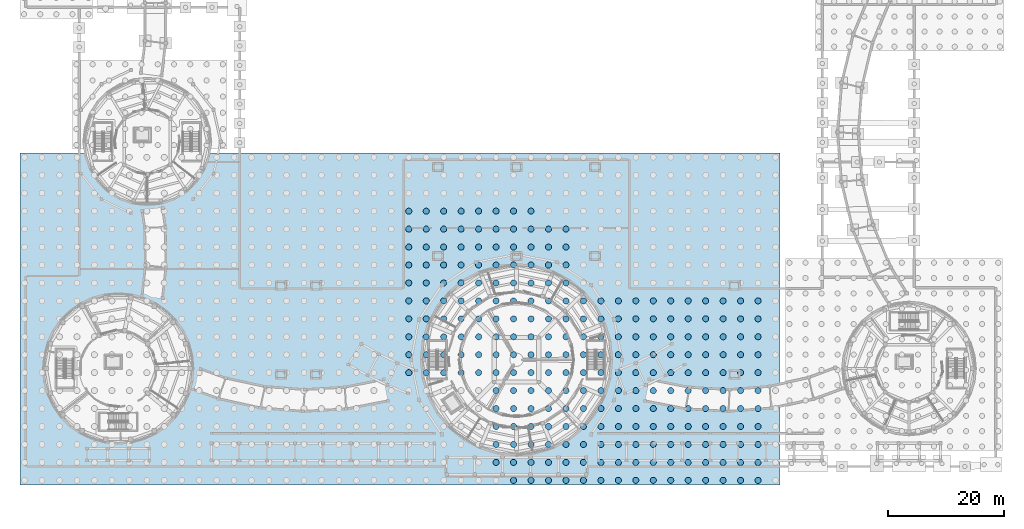
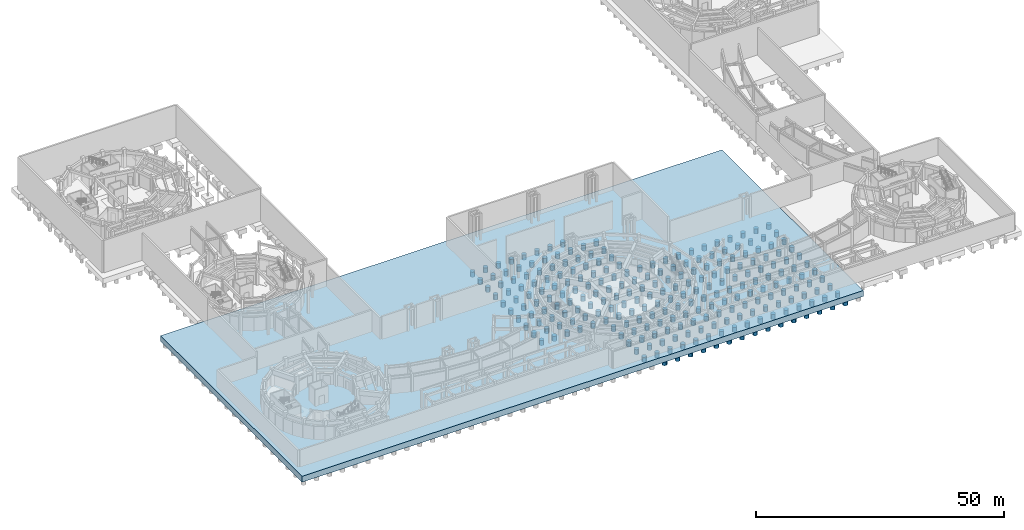
# One storey, part 3 of 57: 248 piles, 1 footing.
"""IFC4 building model written with IfcOpenShell, lengths in metres."""

from ifc_helpers import new_model, si_unit, direction, frame, origin, origin_2d, place, context, subcontext, project, spatial, rectangle, circle, extrude, material, material_profile, profile_set, type_object, element, save


model = new_model("IFC4")

# Units and contexts
model_context = context("Model", 3, precision=1e-05, world=origin(), true_north=direction((0.0, 1.0)))
body_context = subcontext(model_context, "Body", "Model", "MODEL_VIEW")
ifc_project = project(units=[si_unit("LENGTHUNIT", "METRE"), si_unit("AREAUNIT", "SQUARE_METRE"), si_unit("VOLUMEUNIT", "CUBIC_METRE"), si_unit("PLANEANGLEUNIT", "RADIAN"), si_unit("MASSUNIT", "GRAM", prefix="KILO")], contexts=[model_context])

# Site, building, storey
site_placement = place(None, origin())
site = spatial("IfcSite", under=ifc_project, at=site_placement, CompositionType="ELEMENT")
building_placement = place(site_placement, origin())
building = spatial("IfcBuilding", under=site, at=building_placement, Name="Aldenvaro Health Centre", CompositionType="ELEMENT")
storey_placement = place(building_placement, frame((0.0, 0.0, -4.550048828125)))
storey = spatial("IfcBuildingStorey", under=building, at=storey_placement, Name="B1", CompositionType="ELEMENT", Elevation=-4.550048828125)

# Footing
ifc_material = material(Name="Concrete f'c 40 MPa", Category="concrete")
footing_type = type_object("IfcFootingType", Name="FTG-PC-13070x5710x145", PredefinedType="PILE_CAP", material=ifc_material)
footing_placement = place(storey_placement, frame((66.968017578125, 27.0380859375, -1.44970703125), z_axis=(0.0, 0.0, 1.0), x_axis=(1.0, 0.0, 0.0)))
element("IfcFooting", 1, at=footing_placement, inside=storey, type_object=footing_type, Name="Pile Cap PC-01 #001", PredefinedType="PILE_CAP", context=body_context, shape_type="SweptSolid", body=[
    extrude(rectangle(XDim=130.699951171875, YDim=57.10009765625, at=origin_2d()), origin(), (0.0, 0.0, 1.0), 1.449951171875),
])

# Piles
ifc_material_profile = material_profile(ifc_material, circle(Radius=0.52490234375, at=origin_2d()), Name="PILE D1050", Category="concrete")
ifc_profile_set = profile_set([ifc_material_profile], Name="Concrete f'c 40 MPa")
pile_type = type_object("IfcPileType", Name="PILE-D1050", PredefinedType="BORED", material=ifc_profile_set)
for number, where, z_axis, x_axis, name in (
    (2, (68.469970703125, 17.780029296875, -1.349853515625), (0.0, 0.0, -1.0), (1.0, 0.0, 0.0), "Bored Pile BP-03 #0425"),
    (3, (68.469970703125, 20.865966796875, -1.349853515625), (0.0, 0.0, -1.0), (1.0, 0.0, 0.0), "Bored Pile BP-03 #0426"),
    (4, (68.469970703125, 23.951904296875, -1.349853515625), (0.0, 0.0, -1.0), (1.0, 0.0, 0.0), "Bored Pile BP-03 #0427"),
    (5, (68.469970703125, 27.0380859375, -1.349853515625), (0.0, 0.0, -1.0), (1.0, 0.0, 0.0), "Bored Pile BP-03 #0428"),
    (6, (68.469970703125, 30.1240234375, -1.349853515625), (0.0, 0.0, -1.0), (1.0, 0.0, 0.0), "Bored Pile BP-03 #0429"),
    (7, (68.469970703125, 33.2099609375, -1.349853515625), (0.0, 0.0, -1.0), (1.0, 0.0, 0.0), "Bored Pile BP-03 #0430"),
    (8, (68.469970703125, 36.2958984375, -1.349853515625), (0.0, 0.0, -1.0), (1.0, 0.0, 0.0), "Bored Pile BP-03 #0431"),
    (9, (68.469970703125, 39.382080078125, -1.349853515625), (0.0, 0.0, -1.0), (1.0, 0.0, 0.0), "Bored Pile BP-03 #0432"),
    (10, (68.469970703125, 42.468994140625, -1.349853515625), (0.0, 0.0, -1.0), (1.0, 0.0, 0.0), "Bored Pile BP-03 #0433"),
    (11, (68.469970703125, 45.554931640625, -1.349853515625), (0.0, 0.0, -1.0), (1.0, 0.0, 0.0), "Bored Pile BP-03 #0434"),
    (12, (71.472900390625, 17.780029296875, -1.349853515625), (0.0, 0.0, -1.0), (1.0, 0.0, 0.0), "Bored Pile BP-03 #0444"),
    (13, (71.472900390625, 20.865966796875, -1.349853515625), (0.0, 0.0, -1.0), (1.0, 0.0, 0.0), "Bored Pile BP-03 #0445"),
    (14, (71.472900390625, 23.951904296875, -1.349853515625), (0.0, 0.0, -1.0), (1.0, 0.0, 0.0), "Bored Pile BP-03 #0446"),
    (15, (71.472900390625, 27.0380859375, -1.349853515625), (0.0, 0.0, -1.0), (1.0, 0.0, 0.0), "Bored Pile BP-03 #0447"),
    (16, (71.472900390625, 30.1240234375, -1.349853515625), (0.0, 0.0, -1.0), (1.0, 0.0, 0.0), "Bored Pile BP-03 #0448"),
    (17, (71.472900390625, 33.2099609375, -1.349853515625), (0.0, 0.0, -1.0), (1.0, 0.0, 0.0), "Bored Pile BP-03 #0449"),
    (18, (71.472900390625, 36.2958984375, -1.349853515625), (0.0, 0.0, -1.0), (1.0, 0.0, 0.0), "Bored Pile BP-03 #0450"),
    (19, (71.472900390625, 39.382080078125, -1.349853515625), (0.0, 0.0, -1.0), (1.0, 0.0, 0.0), "Bored Pile BP-03 #0451"),
    (20, (71.472900390625, 42.468994140625, -1.349853515625), (0.0, 0.0, -1.0), (1.0, 0.0, 0.0), "Bored Pile BP-03 #0452"),
    (21, (71.472900390625, 45.554931640625, -1.349853515625), (0.0, 0.0, -1.0), (1.0, 0.0, 0.0), "Bored Pile BP-03 #0453"),
    (22, (74.47705078125, 17.780029296875, -1.349853515625), (0.0, 0.0, -1.0), (1.0, 0.0, 0.0), "Bored Pile BP-03 #0463"),
    (23, (74.47705078125, 20.865966796875, -1.349853515625), (0.0, 0.0, -1.0), (1.0, 0.0, 0.0), "Bored Pile BP-03 #0464"),
    (24, (74.47705078125, 23.951904296875, -1.349853515625), (0.0, 0.0, -1.0), (1.0, 0.0, 0.0), "Bored Pile BP-03 #0465"),
    (25, (74.47705078125, 27.0380859375, -1.349853515625), (0.0, 0.0, -1.0), (1.0, 0.0, 0.0), "Bored Pile BP-03 #0466"),
    (26, (74.47705078125, 30.1240234375, -1.349853515625), (0.0, 0.0, -1.0), (1.0, 0.0, 0.0), "Bored Pile BP-03 #0467"),
    (27, (74.47705078125, 33.2099609375, -1.349853515625), (0.0, 0.0, -1.0), (1.0, 0.0, 0.0), "Bored Pile BP-03 #0468"),
    (28, (74.47705078125, 36.2958984375, -1.349853515625), (0.0, 0.0, -1.0), (1.0, 0.0, 0.0), "Bored Pile BP-03 #0469"),
    (29, (74.47705078125, 39.382080078125, -1.349853515625), (0.0, 0.0, -1.0), (1.0, 0.0, 0.0), "Bored Pile BP-03 #0470"),
    (30, (74.47705078125, 42.468994140625, -1.349853515625), (0.0, 0.0, -1.0), (1.0, 0.0, 0.0), "Bored Pile BP-03 #0471"),
    (31, (74.47705078125, 45.554931640625, -1.349853515625), (0.0, 0.0, -1.0), (1.0, 0.0, 0.0), "Bored Pile BP-03 #0472"),
    (32, (77.47998046875, 17.780029296875, -1.349853515625), (0.0, 0.0, -1.0), (1.0, 0.0, 0.0), "Bored Pile BP-03 #0482"),
    (33, (77.47998046875, 20.865966796875, -1.349853515625), (0.0, 0.0, -1.0), (1.0, 0.0, 0.0), "Bored Pile BP-03 #0483"),
    (34, (77.47998046875, 23.951904296875, -1.349853515625), (0.0, 0.0, -1.0), (1.0, 0.0, 0.0), "Bored Pile BP-03 #0484"),
    (35, (77.47998046875, 27.0380859375, -1.349853515625), (0.0, 0.0, -1.0), (1.0, 0.0, 0.0), "Bored Pile BP-03 #0485"),
    (36, (77.47998046875, 30.1240234375, -1.349853515625), (0.0, 0.0, -1.0), (1.0, 0.0, 0.0), "Bored Pile BP-03 #0486"),
    (37, (77.47998046875, 33.2099609375, -1.349853515625), (0.0, 0.0, -1.0), (1.0, 0.0, 0.0), "Bored Pile BP-03 #0487"),
    (38, (77.47998046875, 36.2958984375, -1.349853515625), (0.0, 0.0, -1.0), (1.0, 0.0, 0.0), "Bored Pile BP-03 #0488"),
    (39, (77.47998046875, 39.382080078125, -1.349853515625), (0.0, 0.0, -1.0), (1.0, 0.0, 0.0), "Bored Pile BP-03 #0489"),
    (40, (77.47998046875, 42.468994140625, -1.349853515625), (0.0, 0.0, -1.0), (1.0, 0.0, 0.0), "Bored Pile BP-03 #0490"),
    (41, (77.47998046875, 45.554931640625, -1.349853515625), (0.0, 0.0, -1.0), (1.0, 0.0, 0.0), "Bored Pile BP-03 #0491"),
    (42, (80.48388671875, 17.780029296875, -1.349853515625), (0.0, 0.0, -1.0), (1.0, 0.0, 0.0), "Bored Pile BP-03 #0501"),
    (43, (80.48388671875, 20.865966796875, -1.349853515625), (0.0, 0.0, -1.0), (1.0, 0.0, 0.0), "Bored Pile BP-03 #0502"),
    (44, (80.48388671875, 23.951904296875, -1.349853515625), (0.0, 0.0, -1.0), (1.0, 0.0, 0.0), "Bored Pile BP-03 #0503"),
    (45, (80.48388671875, 27.0380859375, -1.349853515625), (0.0, 0.0, -1.0), (1.0, 0.0, 0.0), "Bored Pile BP-03 #0504"),
    (46, (80.48388671875, 30.1240234375, -1.349853515625), (0.0, 0.0, -1.0), (1.0, 0.0, 0.0), "Bored Pile BP-03 #0505"),
    (47, (80.48388671875, 33.2099609375, -1.349853515625), (0.0, 0.0, -1.0), (1.0, 0.0, 0.0), "Bored Pile BP-03 #0506"),
    (48, (80.48388671875, 36.2958984375, -1.349853515625), (0.0, 0.0, -1.0), (1.0, 0.0, 0.0), "Bored Pile BP-03 #0507"),
    (49, (80.48388671875, 39.382080078125, -1.349853515625), (0.0, 0.0, -1.0), (1.0, 0.0, 0.0), "Bored Pile BP-03 #0508"),
    (50, (80.48388671875, 42.468994140625, -1.349853515625), (0.0, 0.0, -1.0), (1.0, 0.0, 0.0), "Bored Pile BP-03 #0509"),
    (51, (80.48388671875, 45.554931640625, -1.349853515625), (0.0, 0.0, -1.0), (1.0, 0.0, 0.0), "Bored Pile BP-03 #0510"),
    (52, (83.487060546875, 2.34912109375, -1.349853515625), (0.0, 0.0, -1.0), (1.0, 0.0, 0.0), "Bored Pile BP-03 #0515"),
    (53, (83.487060546875, 5.43505859375, -1.349853515625), (0.0, 0.0, -1.0), (1.0, 0.0, 0.0), "Bored Pile BP-03 #0516"),
    (54, (83.487060546875, 8.52099609375, -1.349853515625), (0.0, 0.0, -1.0), (1.0, 0.0, 0.0), "Bored Pile BP-03 #0517"),
    (55, (83.487060546875, 11.60693359375, -1.349853515625), (0.0, 0.0, -1.0), (1.0, 0.0, 0.0), "Bored Pile BP-03 #0518"),
    (56, (83.487060546875, 14.694091796875, -1.349853515625), (0.0, 0.0, -1.0), (1.0, 0.0, 0.0), "Bored Pile BP-03 #0519"),
    (57, (83.487060546875, 17.780029296875, -1.349853515625), (0.0, 0.0, -1.0), (1.0, 0.0, 0.0), "Bored Pile BP-03 #0520"),
    (58, (83.487060546875, 20.865966796875, -1.349853515625), (0.0, 0.0, -1.0), (1.0, 0.0, 0.0), "Bored Pile BP-03 #0521"),
    (59, (83.487060546875, 23.951904296875, -1.349853515625), (0.0, 0.0, -1.0), (1.0, 0.0, 0.0), "Bored Pile BP-03 #0522"),
    (60, (83.487060546875, 27.0380859375, -1.349853515625), (0.0, 0.0, -1.0), (1.0, 0.0, 0.0), "Bored Pile BP-03 #0523"),
    (61, (83.487060546875, 30.1240234375, -1.349853515625), (0.0, 0.0, -1.0), (1.0, 0.0, 0.0), "Bored Pile BP-03 #0524"),
    (62, (83.487060546875, 33.2099609375, -1.349853515625), (0.0, 0.0, -1.0), (1.0, 0.0, 0.0), "Bored Pile BP-03 #0525"),
    (63, (83.487060546875, 36.2958984375, -1.349853515625), (0.0, 0.0, -1.0), (1.0, 0.0, 0.0), "Bored Pile BP-03 #0526"),
    (64, (83.487060546875, 39.382080078125, -1.349853515625), (0.0, 0.0, -1.0), (1.0, 0.0, 0.0), "Bored Pile BP-03 #0527"),
    (65, (83.487060546875, 42.468994140625, -1.349853515625), (0.0, 0.0, -1.0), (1.0, 0.0, 0.0), "Bored Pile BP-03 #0528"),
    (66, (83.487060546875, 45.554931640625, -1.349853515625), (0.0, 0.0, -1.0), (1.0, 0.0, 0.0), "Bored Pile BP-03 #0529"),
    (67, (86.490966796875, -0.737060546875, -1.349853515625), (0.0, 0.0, -1.0), (1.0, 0.0, 0.0), "Bored Pile BP-03 #0533"),
    (68, (86.490966796875, 2.34912109375, -1.349853515625), (0.0, 0.0, -1.0), (1.0, 0.0, 0.0), "Bored Pile BP-03 #0534"),
    (69, (86.490966796875, 5.43505859375, -1.349853515625), (0.0, 0.0, -1.0), (1.0, 0.0, 0.0), "Bored Pile BP-03 #0535"),
    (70, (86.490966796875, 8.52099609375, -1.349853515625), (0.0, 0.0, -1.0), (1.0, 0.0, 0.0), "Bored Pile BP-03 #0536"),
    (71, (86.490966796875, 11.60693359375, -1.349853515625), (0.0, 0.0, -1.0), (1.0, 0.0, 0.0), "Bored Pile BP-03 #0537"),
    (72, (86.490966796875, 14.694091796875, -1.349853515625), (0.0, 0.0, -1.0), (1.0, 0.0, 0.0), "Bored Pile BP-03 #0538"),
    (73, (86.490966796875, 17.780029296875, -1.349853515625), (0.0, 0.0, -1.0), (1.0, 0.0, 0.0), "Bored Pile BP-03 #0539"),
    (74, (86.490966796875, 20.865966796875, -1.349853515625), (0.0, 0.0, -1.0), (1.0, 0.0, 0.0), "Bored Pile BP-03 #0540"),
    (75, (86.490966796875, 23.951904296875, -1.349853515625), (0.0, 0.0, -1.0), (1.0, 0.0, 0.0), "Bored Pile BP-03 #0541"),
    (76, (86.490966796875, 27.0380859375, -1.349853515625), (0.0, 0.0, -1.0), (1.0, 0.0, 0.0), "Bored Pile BP-03 #0542"),
    (77, (86.490966796875, 30.1240234375, -1.349853515625), (0.0, 0.0, -1.0), (1.0, 0.0, 0.0), "Bored Pile BP-03 #0543"),
    (78, (86.490966796875, 33.2099609375, -1.349853515625), (0.0, 0.0, -1.0), (1.0, 0.0, 0.0), "Bored Pile BP-03 #0544"),
    (79, (86.490966796875, 36.2958984375, -1.349853515625), (0.0, 0.0, -1.0), (1.0, 0.0, 0.0), "Bored Pile BP-03 #0545"),
    (80, (86.490966796875, 39.382080078125, -1.349853515625), (0.0, 0.0, -1.0), (1.0, 0.0, 0.0), "Bored Pile BP-03 #0546"),
    (81, (86.490966796875, 42.468994140625, -1.349853515625), (0.0, 0.0, -1.0), (1.0, 0.0, 0.0), "Bored Pile BP-03 #0547"),
    (82, (86.490966796875, 45.554931640625, -1.349853515625), (0.0, 0.0, -1.0), (1.0, 0.0, 0.0), "Bored Pile BP-03 #0548"),
    (83, (89.493896484375, -0.737060546875, -1.349853515625), (0.0, 0.0, -1.0), (1.0, 0.0, 0.0), "Bored Pile BP-03 #0552"),
    (84, (89.493896484375, 2.34912109375, -1.349853515625), (0.0, 0.0, -1.0), (1.0, 0.0, 0.0), "Bored Pile BP-03 #0553"),
    (85, (89.493896484375, 5.43505859375, -1.349853515625), (0.0, 0.0, -1.0), (1.0, 0.0, 0.0), "Bored Pile BP-03 #0554"),
    (86, (89.493896484375, 8.52099609375, -1.349853515625), (0.0, 0.0, -1.0), (1.0, 0.0, 0.0), "Bored Pile BP-03 #0555"),
    (87, (89.493896484375, 11.60693359375, -1.349853515625), (0.0, 0.0, -1.0), (1.0, 0.0, 0.0), "Bored Pile BP-03 #0556"),
    (88, (89.493896484375, 14.694091796875, -1.349853515625), (0.0, 0.0, -1.0), (1.0, 0.0, 0.0), "Bored Pile BP-03 #0557"),
    (89, (89.493896484375, 17.780029296875, -1.349853515625), (0.0, 0.0, -1.0), (1.0, 0.0, 0.0), "Bored Pile BP-03 #0558"),
    (90, (89.493896484375, 20.865966796875, -1.349853515625), (0.0, 0.0, -1.0), (1.0, 0.0, 0.0), "Bored Pile BP-03 #0559"),
    (91, (89.493896484375, 23.951904296875, -1.349853515625), (0.0, 0.0, -1.0), (1.0, 0.0, 0.0), "Bored Pile BP-03 #0560"),
    (92, (89.493896484375, 27.0380859375, -1.349853515625), (0.0, 0.0, -1.0), (1.0, 0.0, 0.0), "Bored Pile BP-03 #0561"),
    (93, (89.493896484375, 30.1240234375, -1.349853515625), (0.0, 0.0, -1.0), (1.0, 0.0, 0.0), "Bored Pile BP-03 #0562"),
    (94, (89.493896484375, 33.2099609375, -1.349853515625), (0.0, 0.0, -1.0), (1.0, 0.0, 0.0), "Bored Pile BP-03 #0563"),
    (95, (89.493896484375, 36.2958984375, -1.349853515625), (0.0, 0.0, -1.0), (1.0, 0.0, 0.0), "Bored Pile BP-03 #0564"),
    (96, (89.493896484375, 39.382080078125, -1.349853515625), (0.0, 0.0, -1.0), (1.0, 0.0, 0.0), "Bored Pile BP-03 #0565"),
    (97, (89.493896484375, 42.468994140625, -1.349853515625), (0.0, 0.0, -1.0), (1.0, 0.0, 0.0), "Bored Pile BP-03 #0566"),
    (98, (89.493896484375, 45.554931640625, -1.349853515625), (0.0, 0.0, -1.0), (1.0, 0.0, 0.0), "Bored Pile BP-03 #0567"),
    (99, (92.498046875, -0.737060546875, -1.349853515625), (0.0, 0.0, -1.0), (1.0, 0.0, 0.0), "Bored Pile BP-03 #0571"),
    (100, (92.498046875, 2.34912109375, -1.349853515625), (0.0, 0.0, -1.0), (1.0, 0.0, 0.0), "Bored Pile BP-03 #0572"),
    (101, (92.498046875, 5.43505859375, -1.349853515625), (0.0, 0.0, -1.0), (1.0, 0.0, 0.0), "Bored Pile BP-03 #0573"),
    (102, (92.498046875, 8.52099609375, -1.349853515625), (0.0, 0.0, -1.0), (1.0, 0.0, 0.0), "Bored Pile BP-03 #0574"),
    (103, (92.498046875, 11.60693359375, -1.349853515625), (0.0, 0.0, -1.0), (1.0, 0.0, 0.0), "Bored Pile BP-03 #0575"),
    (104, (92.498046875, 14.694091796875, -1.349853515625), (0.0, 0.0, -1.0), (1.0, 0.0, 0.0), "Bored Pile BP-03 #0576"),
    (105, (92.498046875, 17.780029296875, -1.349853515625), (0.0, 0.0, -1.0), (1.0, 0.0, 0.0), "Bored Pile BP-03 #0577"),
    (106, (92.498046875, 20.865966796875, -1.349853515625), (0.0, 0.0, -1.0), (1.0, 0.0, 0.0), "Bored Pile BP-03 #0578"),
    (107, (92.498046875, 23.951904296875, -1.349853515625), (0.0, 0.0, -1.0), (1.0, 0.0, 0.0), "Bored Pile BP-03 #0579"),
    (108, (92.498046875, 27.0380859375, -1.349853515625), (0.0, 0.0, -1.0), (1.0, 0.0, 0.0), "Bored Pile BP-03 #0580"),
    (109, (92.498046875, 30.1240234375, -1.349853515625), (0.0, 0.0, -1.0), (1.0, 0.0, 0.0), "Bored Pile BP-03 #0581"),
    (110, (92.498046875, 33.2099609375, -1.349853515625), (0.0, 0.0, -1.0), (1.0, 0.0, 0.0), "Bored Pile BP-03 #0582"),
    (111, (92.498046875, 36.2958984375, -1.349853515625), (0.0, 0.0, -1.0), (1.0, 0.0, 0.0), "Bored Pile BP-03 #0583"),
    (112, (92.498046875, 39.382080078125, -1.349853515625), (0.0, 0.0, -1.0), (1.0, 0.0, 0.0), "Bored Pile BP-03 #0584"),
    (113, (92.498046875, 42.468994140625, -1.349853515625), (0.0, 0.0, -1.0), (1.0, 0.0, 0.0), "Bored Pile BP-03 #0585"),
    (114, (95.5009765625, -0.737060546875, -1.349853515625), (0.0, 0.0, -1.0), (1.0, 0.0, 0.0), "Bored Pile BP-03 #0590"),
    (115, (95.5009765625, 2.34912109375, -1.349853515625), (0.0, 0.0, -1.0), (1.0, 0.0, 0.0), "Bored Pile BP-03 #0591"),
    (116, (95.5009765625, 5.43505859375, -1.349853515625), (0.0, 0.0, -1.0), (1.0, 0.0, 0.0), "Bored Pile BP-03 #0592"),
    (117, (95.5009765625, 8.52099609375, -1.349853515625), (0.0, 0.0, -1.0), (1.0, 0.0, 0.0), "Bored Pile BP-03 #0593"),
    (118, (95.5009765625, 11.60693359375, -1.349853515625), (0.0, 0.0, -1.0), (1.0, 0.0, 0.0), "Bored Pile BP-03 #0594"),
    (119, (95.5009765625, 14.694091796875, -1.349853515625), (0.0, 0.0, -1.0), (1.0, 0.0, 0.0), "Bored Pile BP-03 #0595"),
    (120, (95.5009765625, 17.780029296875, -1.349853515625), (0.0, 0.0, -1.0), (1.0, 0.0, 0.0), "Bored Pile BP-03 #0596"),
    (121, (95.5009765625, 20.865966796875, -1.349853515625), (0.0, 0.0, -1.0), (1.0, 0.0, 0.0), "Bored Pile BP-03 #0597"),
    (122, (95.5009765625, 23.951904296875, -1.349853515625), (0.0, 0.0, -1.0), (1.0, 0.0, 0.0), "Bored Pile BP-03 #0598"),
    (123, (95.5009765625, 27.0380859375, -1.349853515625), (0.0, 0.0, -1.0), (1.0, 0.0, 0.0), "Bored Pile BP-03 #0599"),
    (124, (95.5009765625, 30.1240234375, -1.349853515625), (0.0, 0.0, -1.0), (1.0, 0.0, 0.0), "Bored Pile BP-03 #0600"),
    (125, (95.5009765625, 33.2099609375, -1.349853515625), (0.0, 0.0, -1.0), (1.0, 0.0, 0.0), "Bored Pile BP-03 #0601"),
    (126, (95.5009765625, 36.2958984375, -1.349853515625), (0.0, 0.0, -1.0), (1.0, 0.0, 0.0), "Bored Pile BP-03 #0602"),
    (127, (95.5009765625, 39.382080078125, -1.349853515625), (0.0, 0.0, -1.0), (1.0, 0.0, 0.0), "Bored Pile BP-03 #0603"),
    (128, (95.5009765625, 42.468994140625, -1.349853515625), (0.0, 0.0, -1.0), (1.0, 0.0, 0.0), "Bored Pile BP-03 #0604"),
    (129, (98.5048828125, -0.737060546875, -1.349853515625), (0.0, 0.0, -1.0), (1.0, 0.0, 0.0), "Bored Pile BP-03 #0609"),
    (130, (98.5048828125, 2.34912109375, -1.349853515625), (0.0, 0.0, -1.0), (1.0, 0.0, 0.0), "Bored Pile BP-03 #0610"),
    (131, (98.5048828125, 5.43505859375, -1.349853515625), (0.0, 0.0, -1.0), (1.0, 0.0, 0.0), "Bored Pile BP-03 #0611"),
    (132, (98.5048828125, 8.52099609375, -1.349853515625), (0.0, 0.0, -1.0), (1.0, 0.0, 0.0), "Bored Pile BP-03 #0612"),
    (133, (98.5048828125, 11.60693359375, -1.349853515625), (0.0, 0.0, -1.0), (1.0, 0.0, 0.0), "Bored Pile BP-03 #0613"),
    (134, (98.5048828125, 14.694091796875, -1.349853515625), (0.0, 0.0, -1.0), (1.0, 0.0, 0.0), "Bored Pile BP-03 #0614"),
    (135, (98.5048828125, 17.780029296875, -1.349853515625), (0.0, 0.0, -1.0), (1.0, 0.0, 0.0), "Bored Pile BP-03 #0615"),
    (136, (98.5048828125, 20.865966796875, -1.349853515625), (0.0, 0.0, -1.0), (1.0, 0.0, 0.0), "Bored Pile BP-03 #0616"),
    (137, (98.5048828125, 23.951904296875, -1.349853515625), (0.0, 0.0, -1.0), (1.0, 0.0, 0.0), "Bored Pile BP-03 #0617"),
    (138, (98.5048828125, 27.0380859375, -1.349853515625), (0.0, 0.0, -1.0), (1.0, 0.0, 0.0), "Bored Pile BP-03 #0618"),
    (139, (98.5048828125, 30.1240234375, -1.349853515625), (0.0, 0.0, -1.0), (1.0, 0.0, 0.0), "Bored Pile BP-03 #0619"),
    (140, (101.508056640625, -0.737060546875, -1.349853515625), (0.0, 0.0, -1.0), (1.0, 0.0, 0.0), "Bored Pile BP-03 #0628"),
    (141, (101.508056640625, 2.34912109375, -1.349853515625), (0.0, 0.0, -1.0), (1.0, 0.0, 0.0), "Bored Pile BP-03 #0629"),
    (142, (101.508056640625, 5.43505859375, -1.349853515625), (0.0, 0.0, -1.0), (1.0, 0.0, 0.0), "Bored Pile BP-03 #0630"),
    (143, (101.508056640625, 8.52099609375, -1.349853515625), (0.0, 0.0, -1.0), (1.0, 0.0, 0.0), "Bored Pile BP-03 #0631"),
    (144, (101.508056640625, 11.60693359375, -1.349853515625), (0.0, 0.0, -1.0), (1.0, 0.0, 0.0), "Bored Pile BP-03 #0632"),
    (145, (101.508056640625, 14.694091796875, -1.349853515625), (0.0, 0.0, -1.0), (1.0, 0.0, 0.0), "Bored Pile BP-03 #0633"),
    (146, (101.508056640625, 17.780029296875, -1.349853515625), (0.0, 0.0, -1.0), (1.0, 0.0, 0.0), "Bored Pile BP-03 #0634"),
    (147, (101.508056640625, 20.865966796875, -1.349853515625), (0.0, 0.0, -1.0), (1.0, 0.0, 0.0), "Bored Pile BP-03 #0635"),
    (148, (101.508056640625, 23.951904296875, -1.349853515625), (0.0, 0.0, -1.0), (1.0, 0.0, 0.0), "Bored Pile BP-03 #0636"),
    (149, (101.508056640625, 27.0380859375, -1.349853515625), (0.0, 0.0, -1.0), (1.0, 0.0, 0.0), "Bored Pile BP-03 #0637"),
    (150, (101.508056640625, 30.1240234375, -1.349853515625), (0.0, 0.0, -1.0), (1.0, 0.0, 0.0), "Bored Pile BP-03 #0638"),
    (151, (104.511962890625, -0.737060546875, -1.349853515625), (0.0, 0.0, -1.0), (1.0, 0.0, 0.0), "Bored Pile BP-03 #0647"),
    (152, (104.511962890625, 2.34912109375, -1.349853515625), (0.0, 0.0, -1.0), (1.0, 0.0, 0.0), "Bored Pile BP-03 #0648"),
    (153, (104.511962890625, 5.43505859375, -1.349853515625), (0.0, 0.0, -1.0), (1.0, 0.0, 0.0), "Bored Pile BP-03 #0649"),
    (154, (104.511962890625, 8.52099609375, -1.349853515625), (0.0, 0.0, -1.0), (1.0, 0.0, 0.0), "Bored Pile BP-03 #0650"),
    (155, (104.511962890625, 11.60693359375, -1.349853515625), (0.0, 0.0, -1.0), (1.0, 0.0, 0.0), "Bored Pile BP-03 #0651"),
    (156, (104.511962890625, 14.694091796875, -1.349853515625), (0.0, 0.0, -1.0), (1.0, 0.0, 0.0), "Bored Pile BP-03 #0652"),
    (157, (104.511962890625, 17.780029296875, -1.349853515625), (0.0, 0.0, -1.0), (1.0, 0.0, 0.0), "Bored Pile BP-03 #0653"),
    (158, (104.511962890625, 20.865966796875, -1.349853515625), (0.0, 0.0, -1.0), (1.0, 0.0, 0.0), "Bored Pile BP-03 #0654"),
    (159, (104.511962890625, 23.951904296875, -1.349853515625), (0.0, 0.0, -1.0), (1.0, 0.0, 0.0), "Bored Pile BP-03 #0655"),
    (160, (104.511962890625, 27.0380859375, -1.349853515625), (0.0, 0.0, -1.0), (1.0, 0.0, 0.0), "Bored Pile BP-03 #0656"),
    (161, (104.511962890625, 30.1240234375, -1.349853515625), (0.0, 0.0, -1.0), (1.0, 0.0, 0.0), "Bored Pile BP-03 #0657"),
    (162, (107.514892578125, -0.737060546875, -1.349853515625), (0.0, 0.0, -1.0), (1.0, 0.0, 0.0), "Bored Pile BP-03 #0666"),
    (163, (107.514892578125, 2.34912109375, -1.349853515625), (0.0, 0.0, -1.0), (1.0, 0.0, 0.0), "Bored Pile BP-03 #0667"),
    (164, (107.514892578125, 5.43505859375, -1.349853515625), (0.0, 0.0, -1.0), (1.0, 0.0, 0.0), "Bored Pile BP-03 #0668"),
    (165, (107.514892578125, 8.52099609375, -1.349853515625), (0.0, 0.0, -1.0), (1.0, 0.0, 0.0), "Bored Pile BP-03 #0669"),
    (166, (107.514892578125, 11.60693359375, -1.349853515625), (0.0, 0.0, -1.0), (1.0, 0.0, 0.0), "Bored Pile BP-03 #0670"),
    (167, (107.514892578125, 14.694091796875, -1.349853515625), (0.0, 0.0, -1.0), (1.0, 0.0, 0.0), "Bored Pile BP-03 #0671"),
    (168, (107.514892578125, 17.780029296875, -1.349853515625), (0.0, 0.0, -1.0), (1.0, 0.0, 0.0), "Bored Pile BP-03 #0672"),
    (169, (107.514892578125, 20.865966796875, -1.349853515625), (0.0, 0.0, -1.0), (1.0, 0.0, 0.0), "Bored Pile BP-03 #0673"),
    (170, (107.514892578125, 23.951904296875, -1.349853515625), (0.0, 0.0, -1.0), (1.0, 0.0, 0.0), "Bored Pile BP-03 #0674"),
    (171, (107.514892578125, 27.0380859375, -1.349853515625), (0.0, 0.0, -1.0), (1.0, 0.0, 0.0), "Bored Pile BP-03 #0675"),
    (172, (107.514892578125, 30.1240234375, -1.349853515625), (0.0, 0.0, -1.0), (1.0, 0.0, 0.0), "Bored Pile BP-03 #0676"),
    (173, (110.51904296875, -0.737060546875, -1.349853515625), (0.0, 0.0, -1.0), (1.0, 0.0, 0.0), "Bored Pile BP-03 #0685"),
    (174, (110.51904296875, 2.34912109375, -1.349853515625), (0.0, 0.0, -1.0), (1.0, 0.0, 0.0), "Bored Pile BP-03 #0686"),
    (175, (110.51904296875, 5.43505859375, -1.349853515625), (0.0, 0.0, -1.0), (1.0, 0.0, 0.0), "Bored Pile BP-03 #0687"),
    (176, (110.51904296875, 8.52099609375, -1.349853515625), (0.0, 0.0, -1.0), (1.0, 0.0, 0.0), "Bored Pile BP-03 #0688"),
    (177, (110.51904296875, 11.60693359375, -1.349853515625), (0.0, 0.0, -1.0), (1.0, 0.0, 0.0), "Bored Pile BP-03 #0689"),
    (178, (110.51904296875, 14.694091796875, -1.349853515625), (0.0, 0.0, -1.0), (1.0, 0.0, 0.0), "Bored Pile BP-03 #0690"),
    (179, (110.51904296875, 17.780029296875, -1.349853515625), (0.0, 0.0, -1.0), (1.0, 0.0, 0.0), "Bored Pile BP-03 #0691"),
    (180, (110.51904296875, 20.865966796875, -1.349853515625), (0.0, 0.0, -1.0), (1.0, 0.0, 0.0), "Bored Pile BP-03 #0692"),
    (181, (110.51904296875, 23.951904296875, -1.349853515625), (0.0, 0.0, -1.0), (1.0, 0.0, 0.0), "Bored Pile BP-03 #0693"),
    (182, (110.51904296875, 27.0380859375, -1.349853515625), (0.0, 0.0, -1.0), (1.0, 0.0, 0.0), "Bored Pile BP-03 #0694"),
    (183, (110.51904296875, 30.1240234375, -1.349853515625), (0.0, 0.0, -1.0), (1.0, 0.0, 0.0), "Bored Pile BP-03 #0695"),
    (184, (113.52197265625, -0.737060546875, -1.349853515625), (0.0, 0.0, -1.0), (1.0, 0.0, 0.0), "Bored Pile BP-03 #0704"),
    (185, (113.52197265625, 2.34912109375, -1.349853515625), (0.0, 0.0, -1.0), (1.0, 0.0, 0.0), "Bored Pile BP-03 #0705"),
    (186, (113.52197265625, 5.43505859375, -1.349853515625), (0.0, 0.0, -1.0), (1.0, 0.0, 0.0), "Bored Pile BP-03 #0706"),
    (187, (113.52197265625, 8.52099609375, -1.349853515625), (0.0, 0.0, -1.0), (1.0, 0.0, 0.0), "Bored Pile BP-03 #0707"),
    (188, (113.52197265625, 11.60693359375, -1.349853515625), (0.0, 0.0, -1.0), (1.0, 0.0, 0.0), "Bored Pile BP-03 #0708"),
    (189, (113.52197265625, 14.694091796875, -1.349853515625), (0.0, 0.0, -1.0), (1.0, 0.0, 0.0), "Bored Pile BP-03 #0709"),
    (190, (113.52197265625, 17.780029296875, -1.349853515625), (0.0, 0.0, -1.0), (1.0, 0.0, 0.0), "Bored Pile BP-03 #0710"),
    (191, (113.52197265625, 20.865966796875, -1.349853515625), (0.0, 0.0, -1.0), (1.0, 0.0, 0.0), "Bored Pile BP-03 #0711"),
    (192, (113.52197265625, 23.951904296875, -1.349853515625), (0.0, 0.0, -1.0), (1.0, 0.0, 0.0), "Bored Pile BP-03 #0712"),
    (193, (113.52197265625, 27.0380859375, -1.349853515625), (0.0, 0.0, -1.0), (1.0, 0.0, 0.0), "Bored Pile BP-03 #0713"),
    (194, (113.52197265625, 30.1240234375, -1.349853515625), (0.0, 0.0, -1.0), (1.0, 0.0, 0.0), "Bored Pile BP-03 #0714"),
    (195, (116.52587890625, -0.737060546875, -1.349853515625), (0.0, 0.0, -1.0), (1.0, 0.0, 0.0), "Bored Pile BP-03 #0723"),
    (196, (116.52587890625, 2.34912109375, -1.349853515625), (0.0, 0.0, -1.0), (1.0, 0.0, 0.0), "Bored Pile BP-03 #0724"),
    (197, (116.52587890625, 5.43505859375, -1.349853515625), (0.0, 0.0, -1.0), (1.0, 0.0, 0.0), "Bored Pile BP-03 #0725"),
    (198, (116.52587890625, 8.52099609375, -1.349853515625), (0.0, 0.0, -1.0), (1.0, 0.0, 0.0), "Bored Pile BP-03 #0726"),
    (199, (116.52587890625, 11.60693359375, -1.349853515625), (0.0, 0.0, -1.0), (1.0, 0.0, 0.0), "Bored Pile BP-03 #0727"),
    (200, (116.52587890625, 14.694091796875, -1.349853515625), (0.0, 0.0, -1.0), (1.0, 0.0, 0.0), "Bored Pile BP-03 #0728"),
    (201, (116.52587890625, 17.780029296875, -1.349853515625), (0.0, 0.0, -1.0), (1.0, 0.0, 0.0), "Bored Pile BP-03 #0729"),
    (202, (116.52587890625, 20.865966796875, -1.349853515625), (0.0, 0.0, -1.0), (1.0, 0.0, 0.0), "Bored Pile BP-03 #0730"),
    (203, (116.52587890625, 23.951904296875, -1.349853515625), (0.0, 0.0, -1.0), (1.0, 0.0, 0.0), "Bored Pile BP-03 #0731"),
    (204, (116.52587890625, 27.0380859375, -1.349853515625), (0.0, 0.0, -1.0), (1.0, 0.0, 0.0), "Bored Pile BP-03 #0732"),
    (205, (116.52587890625, 30.1240234375, -1.349853515625), (0.0, 0.0, -1.0), (1.0, 0.0, 0.0), "Bored Pile BP-03 #0733"),
    (206, (119.529052734375, -0.737060546875, -1.349853515625), (0.0, 0.0, -1.0), (1.0, 0.0, 0.0), "Bored Pile BP-03 #0742"),
    (207, (119.529052734375, 2.34912109375, -1.349853515625), (0.0, 0.0, -1.0), (1.0, 0.0, 0.0), "Bored Pile BP-03 #0743"),
    (208, (119.529052734375, 5.43505859375, -1.349853515625), (0.0, 0.0, -1.0), (1.0, 0.0, 0.0), "Bored Pile BP-03 #0744"),
    (209, (119.529052734375, 8.52099609375, -1.349853515625), (0.0, 0.0, -1.0), (1.0, 0.0, 0.0), "Bored Pile BP-03 #0745"),
    (210, (119.529052734375, 11.60693359375, -1.349853515625), (0.0, 0.0, -1.0), (1.0, 0.0, 0.0), "Bored Pile BP-03 #0746"),
    (211, (119.529052734375, 14.694091796875, -1.349853515625), (0.0, 0.0, -1.0), (1.0, 0.0, 0.0), "Bored Pile BP-03 #0747"),
    (212, (119.529052734375, 17.780029296875, -1.349853515625), (0.0, 0.0, -1.0), (1.0, 0.0, 0.0), "Bored Pile BP-03 #0748"),
    (213, (119.529052734375, 20.865966796875, -1.349853515625), (0.0, 0.0, -1.0), (1.0, 0.0, 0.0), "Bored Pile BP-03 #0749"),
    (214, (119.529052734375, 23.951904296875, -1.349853515625), (0.0, 0.0, -1.0), (1.0, 0.0, 0.0), "Bored Pile BP-03 #0750"),
    (215, (119.529052734375, 27.0380859375, -1.349853515625), (0.0, 0.0, -1.0), (1.0, 0.0, 0.0), "Bored Pile BP-03 #0751"),
    (216, (119.529052734375, 30.1240234375, -1.349853515625), (0.0, 0.0, -1.0), (1.0, 0.0, 0.0), "Bored Pile BP-03 #0752"),
    (217, (122.532958984375, -0.737060546875, -1.349853515625), (0.0, 0.0, -1.0), (1.0, 0.0, 0.0), "Bored Pile BP-03 #0761"),
    (218, (122.532958984375, 2.34912109375, -1.349853515625), (0.0, 0.0, -1.0), (1.0, 0.0, 0.0), "Bored Pile BP-03 #0762"),
    (219, (122.532958984375, 5.43505859375, -1.349853515625), (0.0, 0.0, -1.0), (1.0, 0.0, 0.0), "Bored Pile BP-03 #0763"),
    (220, (122.532958984375, 8.52099609375, -1.349853515625), (0.0, 0.0, -1.0), (1.0, 0.0, 0.0), "Bored Pile BP-03 #0764"),
    (221, (122.532958984375, 11.60693359375, -1.349853515625), (0.0, 0.0, -1.0), (1.0, 0.0, 0.0), "Bored Pile BP-03 #0765"),
    (222, (122.532958984375, 14.694091796875, -1.349853515625), (0.0, 0.0, -1.0), (1.0, 0.0, 0.0), "Bored Pile BP-03 #0766"),
    (223, (122.532958984375, 17.780029296875, -1.349853515625), (0.0, 0.0, -1.0), (1.0, 0.0, 0.0), "Bored Pile BP-03 #0767"),
    (224, (122.532958984375, 20.865966796875, -1.349853515625), (0.0, 0.0, -1.0), (1.0, 0.0, 0.0), "Bored Pile BP-03 #0768"),
    (225, (122.532958984375, 23.951904296875, -1.349853515625), (0.0, 0.0, -1.0), (1.0, 0.0, 0.0), "Bored Pile BP-03 #0769"),
    (226, (122.532958984375, 27.0380859375, -1.349853515625), (0.0, 0.0, -1.0), (1.0, 0.0, 0.0), "Bored Pile BP-03 #0770"),
    (227, (122.532958984375, 30.1240234375, -1.349853515625), (0.0, 0.0, -1.0), (1.0, 0.0, 0.0), "Bored Pile BP-03 #0771"),
    (228, (125.535888671875, -0.737060546875, -1.349853515625), (0.0, 0.0, -1.0), (1.0, 0.0, 0.0), "Bored Pile BP-03 #0780"),
    (229, (125.535888671875, 2.34912109375, -1.349853515625), (0.0, 0.0, -1.0), (1.0, 0.0, 0.0), "Bored Pile BP-03 #0781"),
    (230, (125.535888671875, 5.43505859375, -1.349853515625), (0.0, 0.0, -1.0), (1.0, 0.0, 0.0), "Bored Pile BP-03 #0782"),
    (231, (125.535888671875, 8.52099609375, -1.349853515625), (0.0, 0.0, -1.0), (1.0, 0.0, 0.0), "Bored Pile BP-03 #0783"),
    (232, (125.535888671875, 11.60693359375, -1.349853515625), (0.0, 0.0, -1.0), (1.0, 0.0, 0.0), "Bored Pile BP-03 #0784"),
    (233, (125.535888671875, 14.694091796875, -1.349853515625), (0.0, 0.0, -1.0), (1.0, 0.0, 0.0), "Bored Pile BP-03 #0785"),
    (234, (125.535888671875, 17.780029296875, -1.349853515625), (0.0, 0.0, -1.0), (1.0, 0.0, 0.0), "Bored Pile BP-03 #0786"),
    (235, (125.535888671875, 20.865966796875, -1.349853515625), (0.0, 0.0, -1.0), (1.0, 0.0, 0.0), "Bored Pile BP-03 #0787"),
    (236, (125.535888671875, 23.951904296875, -1.349853515625), (0.0, 0.0, -1.0), (1.0, 0.0, 0.0), "Bored Pile BP-03 #0788"),
    (237, (125.535888671875, 27.0380859375, -1.349853515625), (0.0, 0.0, -1.0), (1.0, 0.0, 0.0), "Bored Pile BP-03 #0789"),
    (238, (125.535888671875, 30.1240234375, -1.349853515625), (0.0, 0.0, -1.0), (1.0, 0.0, 0.0), "Bored Pile BP-03 #0790"),
    (239, (128.5400390625, -0.737060546875, -1.349853515625), (0.0, 0.0, -1.0), (1.0, 0.0, 0.0), "Bored Pile BP-03 #0799"),
    (240, (128.5400390625, 2.34912109375, -1.349853515625), (0.0, 0.0, -1.0), (1.0, 0.0, 0.0), "Bored Pile BP-03 #0800"),
    (241, (128.5400390625, 5.43505859375, -1.349853515625), (0.0, 0.0, -1.0), (1.0, 0.0, 0.0), "Bored Pile BP-03 #0801"),
    (242, (128.5400390625, 8.52099609375, -1.349853515625), (0.0, 0.0, -1.0), (1.0, 0.0, 0.0), "Bored Pile BP-03 #0802"),
    (243, (128.5400390625, 11.60693359375, -1.349853515625), (0.0, 0.0, -1.0), (1.0, 0.0, 0.0), "Bored Pile BP-03 #0803"),
    (244, (128.5400390625, 14.694091796875, -1.349853515625), (0.0, 0.0, -1.0), (1.0, 0.0, 0.0), "Bored Pile BP-03 #0804"),
    (245, (128.5400390625, 17.780029296875, -1.349853515625), (0.0, 0.0, -1.0), (1.0, 0.0, 0.0), "Bored Pile BP-03 #0805"),
    (246, (128.5400390625, 20.865966796875, -1.349853515625), (0.0, 0.0, -1.0), (1.0, 0.0, 0.0), "Bored Pile BP-03 #0806"),
    (247, (128.5400390625, 23.951904296875, -1.349853515625), (0.0, 0.0, -1.0), (1.0, 0.0, 0.0), "Bored Pile BP-03 #0807"),
    (248, (128.5400390625, 27.0380859375, -1.349853515625), (0.0, 0.0, -1.0), (1.0, 0.0, 0.0), "Bored Pile BP-03 #0808"),
    (249, (128.5400390625, 30.1240234375, -1.349853515625), (0.0, 0.0, -1.0), (1.0, 0.0, 0.0), "Bored Pile BP-03 #0809"),
):
    element("IfcPile", number, at=place(storey_placement, frame(where, z_axis=z_axis, x_axis=x_axis)), inside=storey, type_object=pile_type, Name=name, PredefinedType="BORED", context=body_context, shape_type="SweptSolid", body=[
        extrude(circle(Radius=0.52490234375, at=origin_2d()), origin(), (0.0, 0.0, 1.0), 1.25),
    ])

save(model, "model.ifc")
